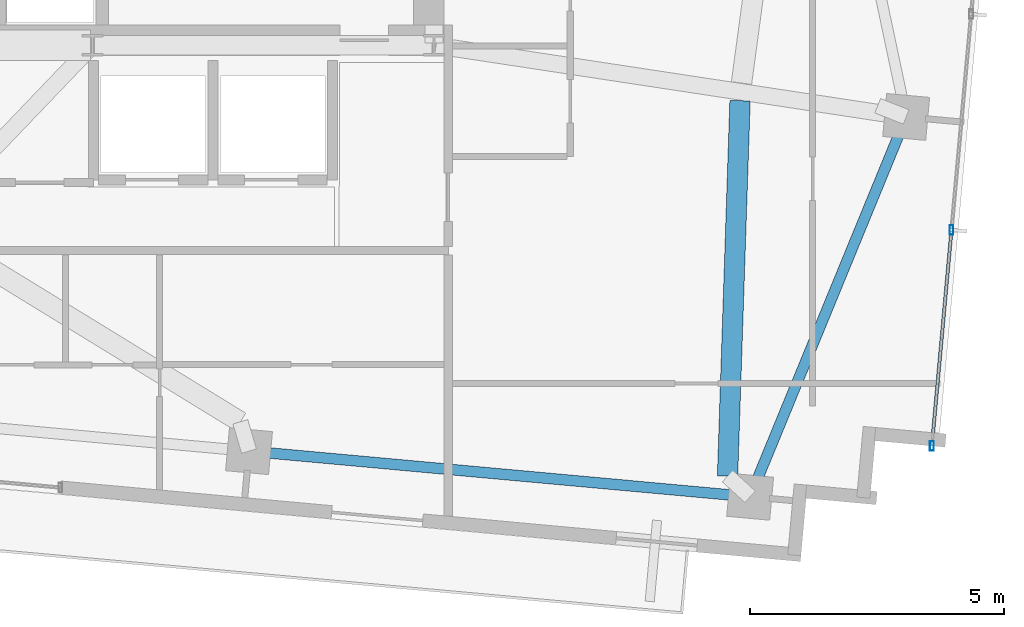
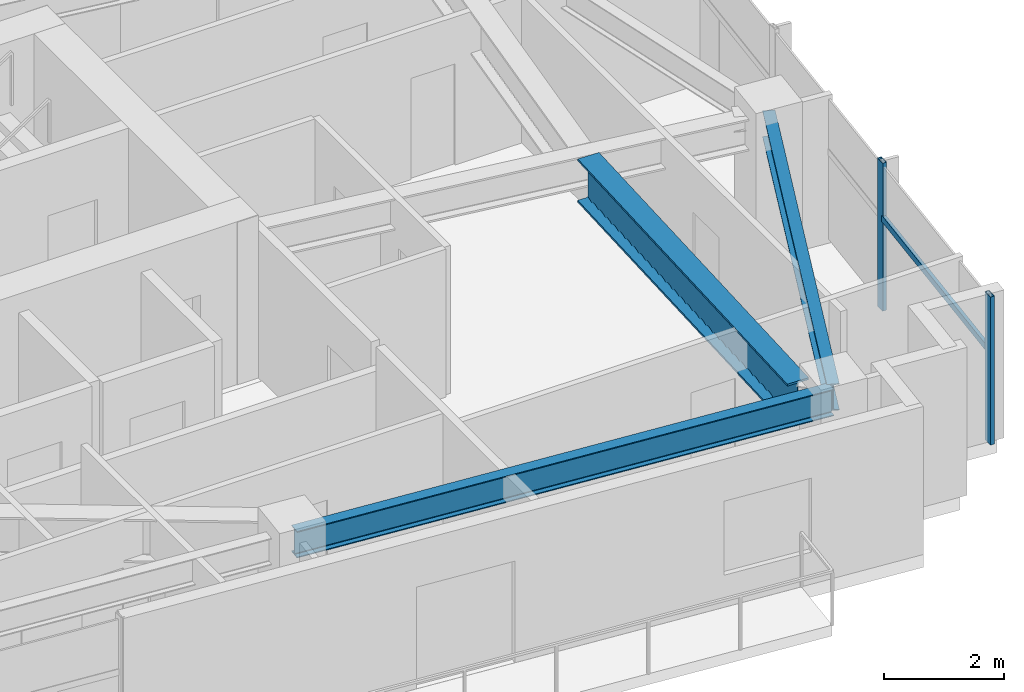
# One storey, part 12 of 22: 3 beams, 3 members, 1 element without a shape of its own.
"""IFC4 building model written with IfcOpenShell, lengths in metres."""

from ifc_helpers import new_model, si_unit, direction, frame, origin, origin_2d, place, context, subcontext, project, spatial, hollow_rectangle, i_section, extrude, source, transform, mapped, material, material_profile, profile_set, type_object, type_shapes, element, aggregate, save


model = new_model("IFC4")

# Units and contexts
model_context = context("Model", 3, precision=1e-05, world=origin(), true_north=direction((0.0, 1.0)))
body_context = subcontext(model_context, "Body", "Model", "MODEL_VIEW")
ifc_project = project(units=[si_unit("LENGTHUNIT", "METRE"), si_unit("AREAUNIT", "SQUARE_METRE"), si_unit("VOLUMEUNIT", "CUBIC_METRE"), si_unit("PLANEANGLEUNIT", "RADIAN"), si_unit("MASSUNIT", "GRAM", prefix="KILO")], contexts=[model_context])

# Site, building, storey
site_placement = place(None, origin())
site = spatial("IfcSite", under=ifc_project, at=site_placement, CompositionType="ELEMENT")
building_placement = place(site_placement, origin())
building = spatial("IfcBuilding", under=site, at=building_placement, Name="Astriad Promenade Condominiums", CompositionType="ELEMENT")
storey_placement = place(building_placement, frame((0.0, 0.0, 256.199951171875)))
storey = spatial("IfcBuildingStorey", under=building, at=storey_placement, Name="L74", CompositionType="ELEMENT", Elevation=256.199951171875)

# Beams
ifc_material_1 = material(Name="Steel ASTM A992 Grade 50", Category="steel")
ifc_material_profile_1 = material_profile(ifc_material_1, i_section(OverallWidth=0.210693359375, OverallDepth=0.53955078125, WebThickness=0.01171875, FlangeThickness=0.018798828125, FilletRadius=0.0166015625, at=origin_2d()), Name="W21X73")
ifc_profile_set_1 = profile_set([ifc_material_profile_1], Name="Steel ASTM A992 Grade 50")
beam_type_1 = type_object("IfcBeamType", Name="STEEL SPANDREL BEAM W21X73", PredefinedType="SPANDREL", material=ifc_profile_set_1)
shared_shape_1 = source(origin(), body_context, "Body", "SweptSolid", [
    extrude(i_section(OverallWidth=0.210693359375, OverallDepth=0.53955078125, WebThickness=0.01171875, FlangeThickness=0.018798828125, FilletRadius=0.0166015625, at=origin_2d()), origin(), (0.0, 0.0, 1.0), 9.820068359375),
])
beam_1_placement = place(storey_placement, frame((41.99951171875, 9.410888671875, 2.73046875), z_axis=(0.995883214993, -0.090645585088, 0.0), x_axis=(0.090645585088, 0.995883214993, 0.0)))
element("IfcBeam", 1, at=beam_1_placement, inside=storey, type_object=beam_type_1, Name="Perimeter Spandrel Beam SP-S4-L74", PredefinedType="SPANDREL", context=body_context, shape_type="MappedRepresentation", body=[
    mapped(shared_shape_1, transform((0.0, 0.0, 0.0), scale=1.0)),
])
shared_shape_2 = source(origin(), body_context, "Body", "SweptSolid", [
    extrude(i_section(OverallWidth=0.210693359375, OverallDepth=0.53955078125, WebThickness=0.01171875, FlangeThickness=0.018798828125, FilletRadius=0.0166015625, at=origin_2d()), origin(), (0.0, 0.0, 1.0), 7.998779296875),
])
type_shapes(beam_type_1, [shared_shape_1, shared_shape_2])
beam_2_placement = place(storey_placement, frame((51.833984375, 8.55419921875, 2.73046875), z_axis=(0.38000513148, 0.924984378273, 0.0), x_axis=(-0.924984378273, 0.38000513148, 0.0)))
element("IfcBeam", 2, at=beam_2_placement, inside=storey, type_object=beam_type_1, Name="Perimeter Spandrel Beam SP-E1-L74", PredefinedType="SPANDREL", context=body_context, shape_type="MappedRepresentation", body=[
    mapped(shared_shape_2, transform((0.0, 0.0, 0.0), scale=1.0)),
])
ifc_material_profile_2 = material_profile(ifc_material_1, i_section(OverallWidth=0.4013671875, OverallDepth=0.877197265625, WebThickness=0.022216796875, FlangeThickness=0.039794921875, FilletRadius=0.02294921875, at=origin_2d()), Name="W33X263")
ifc_profile_set_2 = profile_set([ifc_material_profile_2], Name="Steel ASTM A992 Grade 50")
beam_type_2 = type_object("IfcBeamType", Name="STEEL TRANSFER CARRIER GIRDER W33X263", PredefinedType="BEAM", material=ifc_profile_set_2)
shared_shape_3 = source(origin(), body_context, "Body", "SweptSolid", [
    extrude(i_section(OverallWidth=0.4013671875, OverallDepth=0.877197265625, WebThickness=0.022216796875, FlangeThickness=0.039794921875, FilletRadius=0.02294921875, at=origin_2d()), origin(), (0.0, 0.0, 1.0), 7.391845703125),
])
type_shapes(beam_type_2, [shared_shape_3])
beam_3_placement = place(storey_placement, frame((51.6201171875, 16.310302734375, 2.5615234375), z_axis=(-0.03322685138, -0.999447835731, 0.0), x_axis=(0.999447835731, -0.03322685138, 0.0)))
element("IfcBeam", 3, at=beam_3_placement, inside=storey, type_object=beam_type_2, Name="Transfer Splice Carrier TRM-SP-PC05-L74", PredefinedType="BEAM", context=body_context, shape_type="MappedRepresentation", body=[
    mapped(shared_shape_3, transform((0.0, 0.0, 0.0), scale=1.0)),
])

# Curtain wall, members
ifc_material_2 = material(Name="Anodised aluminium Black Dark Glass Unitised", Category="aluminium")
curtain_wall_type = type_object("IfcCurtainWallType", Name="CW-B5-DARK", PredefinedType="USERDEFINED", material=ifc_material_2)
curtain_wall_placement = place(storey_placement, origin())
curtain_wall = element("IfcCurtainWall", 4, at=curtain_wall_placement, inside=storey, type_object=curtain_wall_type, Name="CW-L74-E", ObjectType="UNITISED_CURTAIN_WALL", PredefinedType="USERDEFINED")
ifc_material_3 = material(Name="Anodised aluminium 6063-T6 Black", Category="aluminium")
ifc_material_profile_3 = material_profile(ifc_material_3, hollow_rectangle(XDim=0.06494140625, YDim=0.1298828125, WallThickness=0.00390625, at=origin_2d()), Name="ALU-TRN-65X130")
ifc_profile_set_3 = profile_set([ifc_material_profile_3], Name="Anodised aluminium 6063-T6 Black")
member_type_1 = type_object("IfcMemberType", Name="TRN-ALU-TRN-65X130", PredefinedType="USERDEFINED", material=ifc_profile_set_3)
shared_shape_4 = source(origin(), body_context, "Body", "SweptSolid", [
    extrude(hollow_rectangle(XDim=0.06494140625, YDim=0.1298828125, WallThickness=0.00390625, at=origin_2d()), origin(), (0.0, 0.0, 1.0), 4.2666015625),
])
type_shapes(member_type_1, [shared_shape_4])
member_1_placement = place(storey_placement, frame((55.78076171875, 13.766357421875, 1.860107421875), z_axis=(-0.090638931954, -0.99588382054, 0.0), x_axis=(0.99588382054, -0.090638931954, 0.0)))
member_1 = element("IfcMember", 5, at=member_1_placement, type_object=member_type_1, Name="CW-L74-E-TRN-02-0", ObjectType="TRANSOM", PredefinedType="USERDEFINED", context=body_context, shape_type="MappedRepresentation", body=[
    mapped(shared_shape_4, transform((0.0, 0.0, 0.0), scale=1.0)),
])
ifc_material_profile_4 = material_profile(ifc_material_3, hollow_rectangle(XDim=0.074951171875, YDim=0.18505859375, WallThickness=0.00439453125, at=origin_2d()), Name="ALU-MUL-75X185")
ifc_profile_set_4 = profile_set([ifc_material_profile_4], Name="Anodised aluminium 6063-T6 Black")
member_type_2 = type_object("IfcMemberType", Name="MUL-ALU-MUL-75X185", PredefinedType="MULLION", material=ifc_profile_set_4)
shared_shape_5 = source(origin(), body_context, "Body", "SweptSolid", [
    extrude(hollow_rectangle(XDim=0.074951171875, YDim=0.18505859375, WallThickness=0.00439453125, at=origin_2d()), origin(), (0.0, 0.0, 1.0), 3.0),
])
type_shapes(member_type_2, [shared_shape_5])
member_2_placement = place(storey_placement, frame((55.78076171875, 13.766357421875, 0.0), z_axis=(0.0, 0.0, 1.0), x_axis=(1.0, 0.0, 0.0)))
member_2 = element("IfcMember", 6, at=member_2_placement, type_object=member_type_2, Name="CW-L74-E-MUL-02", PredefinedType="MULLION", context=body_context, shape_type="MappedRepresentation", body=[
    mapped(shared_shape_5, transform((0.0, 0.0, 0.0), scale=1.0)),
])
member_3_placement = place(storey_placement, frame((55.39404296875, 9.517333984375, 0.0), z_axis=(0.0, 0.0, 1.0), x_axis=(1.0, 0.0, 0.0)))
member_3 = element("IfcMember", 7, at=member_3_placement, type_object=member_type_2, Name="CW-L74-E-MUL-03", PredefinedType="MULLION", context=body_context, shape_type="MappedRepresentation", body=[
    mapped(shared_shape_5, transform((0.0, 0.0, 0.0), scale=1.0)),
])
aggregate(curtain_wall, [member_2, member_3, member_1])

save(model, "model.ifc")
